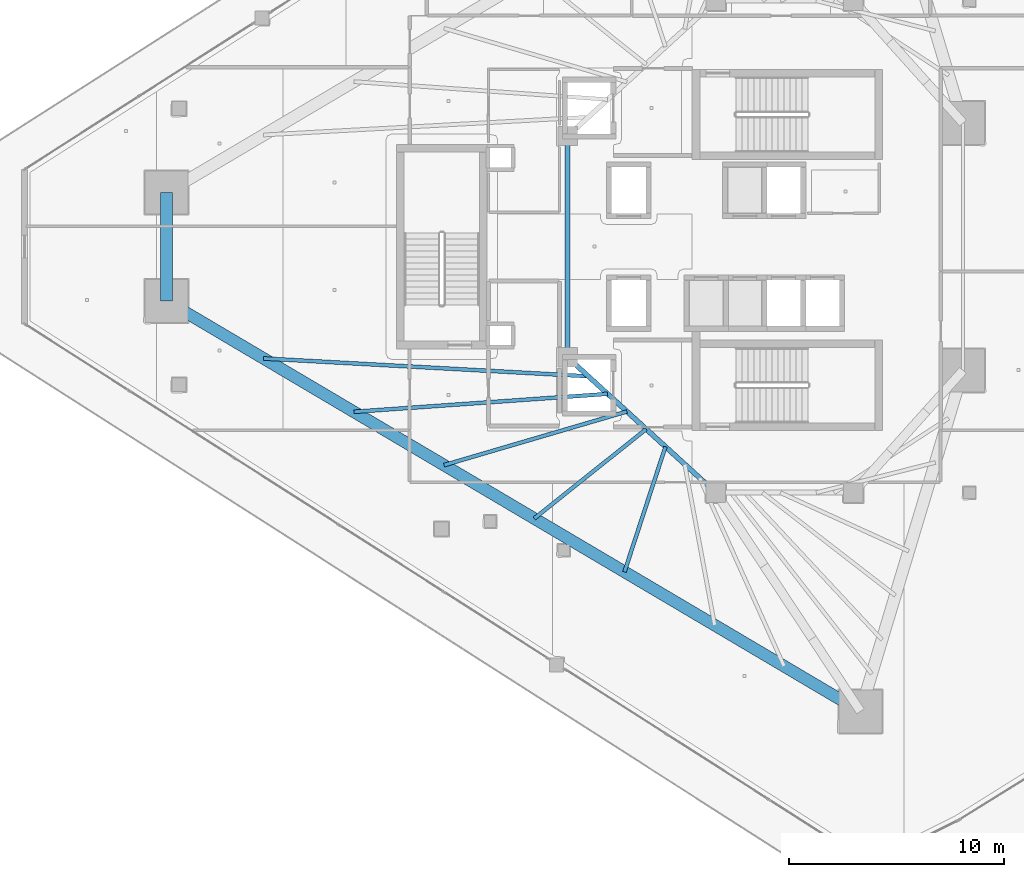
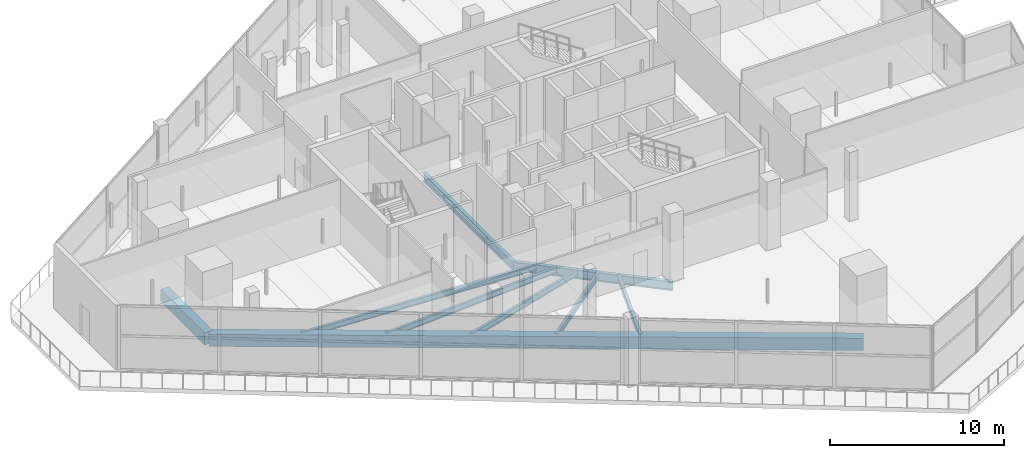
# One storey, part 7 of 36: 9 beams.
"""IFC4 building model written with IfcOpenShell, lengths in metres."""

from ifc_helpers import new_model, si_unit, direction, frame, origin, origin_2d, place, context, subcontext, project, spatial, rectangle, i_section, extrude, material, material_profile, profile_set, type_object, element, save


model = new_model("IFC4")

# Units and contexts
model_context = context("Model", 3, precision=1e-05, world=origin(), true_north=direction((0.0, 1.0)))
body_context = subcontext(model_context, "Body", "Model", "MODEL_VIEW")
ifc_project = project(units=[si_unit("LENGTHUNIT", "METRE"), si_unit("AREAUNIT", "SQUARE_METRE"), si_unit("VOLUMEUNIT", "CUBIC_METRE"), si_unit("PLANEANGLEUNIT", "RADIAN"), si_unit("MASSUNIT", "GRAM", prefix="KILO")], contexts=[model_context])

# Site, building, storey
site_placement = place(None, origin())
site = spatial("IfcSite", under=ifc_project, at=site_placement, CompositionType="ELEMENT")
building_placement = place(site_placement, origin())
building = spatial("IfcBuilding", under=site, at=building_placement, Name="Qorvath Tower", CompositionType="ELEMENT")
storey_placement = place(building_placement, frame((0.0, 0.0, 180.0)))
storey = spatial("IfcBuildingStorey", under=building, at=storey_placement, Name="L41", CompositionType="ELEMENT", Elevation=180.0)

# Beams
ifc_material_1 = material(Name="Steel ASTM A992 Grade 50", Category="steel")
ifc_material_profile_1 = material_profile(ifc_material_1, i_section(OverallWidth=0.22998046875, OverallDepth=0.616943359375, WebThickness=0.01318359375, FlangeThickness=0.022216796875, FilletRadius=0.014892578125, at=origin_2d()), Name="W24x94")
ifc_profile_set_1 = profile_set([ifc_material_profile_1], Name="Steel ASTM A992 Grade 50")
beam_type_1 = type_object("IfcBeamType", Name="BM-FG6", PredefinedType="BEAM", material=ifc_profile_set_1)
beam_1_placement = place(storey_placement, frame((-23.60009765625, -11.449951171875, -0.6083984375), z_axis=(-0.73847813985, 0.6742774184, 0.0), x_axis=(-0.6742774184, -0.73847813985, 0.0)))
element("IfcBeam", 1, at=beam_1_placement, inside=storey, type_object=beam_type_1, Name="Core Ring Girder CC4-CC6 L41", PredefinedType="BEAM", context=body_context, shape_type="SweptSolid", body=[
    extrude(i_section(OverallWidth=0.22998046875, OverallDepth=0.616943359375, WebThickness=0.01318359375, FlangeThickness=0.022216796875, FilletRadius=0.014892578125, at=origin_2d()), origin(), (0.0, 0.0, 1.0), 9.343505859375),
])
beam_2_placement = place(storey_placement, frame((-30.5, -5.14990234375, -0.6083984375), z_axis=(0.0, 1.0, 0.0), x_axis=(-1.0, 0.0, 0.0)))
element("IfcBeam", 2, at=beam_2_placement, inside=storey, type_object=beam_type_1, Name="Core Ring Girder CC6-CC5 L41", PredefinedType="BEAM", context=body_context, shape_type="SweptSolid", body=[
    extrude(i_section(OverallWidth=0.22998046875, OverallDepth=0.616943359375, WebThickness=0.01318359375, FlangeThickness=0.022216796875, FilletRadius=0.014892578125, at=origin_2d()), origin(), (0.0, 0.0, 1.0), 10.2998046875),
])
ifc_material_2 = material(Name="Steel ASTM A992 Grade 50", Category="steel")
ifc_material_profile_2 = material_profile(ifc_material_2, i_section(OverallWidth=0.177978515625, OverallDepth=0.406005859375, WebThickness=0.0078125, FlangeThickness=0.0126953125, FilletRadius=0.010986328125, at=origin_2d()), Name="W16x40")
ifc_profile_set_2 = profile_set([ifc_material_profile_2], Name="Steel ASTM A992 Grade 50")
beam_type_2 = type_object("IfcBeamType", Name="BM-FJ3", PredefinedType="JOIST", material=ifc_profile_set_2)
beam_3_placement = place(storey_placement, frame((-29.533935546875, -6.031982421875, -0.5029296875), z_axis=(-0.998494745044, 0.054847462293, 0.0), x_axis=(-0.054847462293, -0.998494745044, 0.0)))
element("IfcBeam", 3, at=beam_3_placement, inside=storey, type_object=beam_type_2, Name="Composite Floor Joist SW1 L41", PredefinedType="JOIST", context=body_context, shape_type="SweptSolid", body=[
    extrude(i_section(OverallWidth=0.177978515625, OverallDepth=0.406005859375, WebThickness=0.0078125, FlangeThickness=0.0126953125, FilletRadius=0.010986328125, at=origin_2d()), origin(), (0.0, 0.0, 1.0), 15.138671875),
])
beam_4_placement = place(storey_placement, frame((-28.636962890625, -6.85107421875, -0.5029296875), z_axis=(-0.997520476731, -0.070376832146, 0.0), x_axis=(0.070376832146, -0.997520476731, 0.0)))
element("IfcBeam", 4, at=beam_4_placement, inside=storey, type_object=beam_type_2, Name="Composite Floor Joist SW2 L41", PredefinedType="JOIST", context=body_context, shape_type="SweptSolid", body=[
    extrude(i_section(OverallWidth=0.177978515625, OverallDepth=0.406005859375, WebThickness=0.0078125, FlangeThickness=0.0126953125, FilletRadius=0.010986328125, at=origin_2d()), origin(), (0.0, 0.0, 1.0), 11.84326171875),
])
beam_5_placement = place(storey_placement, frame((-27.739990234375, -7.669921875, -0.5029296875), z_axis=(-0.959544992264, -0.281555337049, 0.0), x_axis=(0.281555337049, -0.959544992264, 0.0)))
element("IfcBeam", 5, at=beam_5_placement, inside=storey, type_object=beam_type_2, Name="Composite Floor Joist SW3 L41", PredefinedType="JOIST", context=body_context, shape_type="SweptSolid", body=[
    extrude(i_section(OverallWidth=0.177978515625, OverallDepth=0.406005859375, WebThickness=0.0078125, FlangeThickness=0.0126953125, FilletRadius=0.010986328125, at=origin_2d()), origin(), (0.0, 0.0, 1.0), 8.87060546875),
])
beam_6_placement = place(storey_placement, frame((-26.843017578125, -8.489013671875, -0.5029296875), z_axis=(-0.781336553339, -0.624109918537, 0.0), x_axis=(0.624109918537, -0.781336553339, 0.0)))
element("IfcBeam", 6, at=beam_6_placement, inside=storey, type_object=beam_type_2, Name="Composite Floor Joist SW4 L41", PredefinedType="JOIST", context=body_context, shape_type="SweptSolid", body=[
    extrude(i_section(OverallWidth=0.177978515625, OverallDepth=0.406005859375, WebThickness=0.0078125, FlangeThickness=0.0126953125, FilletRadius=0.010986328125, at=origin_2d()), origin(), (0.0, 0.0, 1.0), 6.667724609375),
])
beam_7_placement = place(storey_placement, frame((-25.946044921875, -9.30810546875, -0.5029296875), z_axis=(-0.311228747452, -0.950335028692, 0.0), x_axis=(0.950335028692, -0.311228747452, 0.0)))
element("IfcBeam", 7, at=beam_7_placement, inside=storey, type_object=beam_type_2, Name="Composite Floor Joist SW5 L41", PredefinedType="JOIST", context=body_context, shape_type="SweptSolid", body=[
    extrude(i_section(OverallWidth=0.177978515625, OverallDepth=0.406005859375, WebThickness=0.0078125, FlangeThickness=0.0126953125, FilletRadius=0.010986328125, at=origin_2d()), origin(), (0.0, 0.0, 1.0), 6.129638671875),
])
ifc_material_3 = material(Name="Concrete C50/60", Category="concrete")
ifc_material_profile_3 = material_profile(ifc_material_3, rectangle(XDim=0.550048828125, YDim=0.85009765625, at=origin_2d()), Name="RCB 850x550")
ifc_profile_set_3 = profile_set([ifc_material_profile_3], Name="Concrete C50/60")
beam_type_3 = type_object("IfcBeamType", Name="BM-RCB2", PredefinedType="SPANDREL", material=ifc_profile_set_3)
beam_8_placement = place(storey_placement, frame((-49.171875, 2.52783203125, -0.72509765625), z_axis=(0.0, -1.0, 0.0), x_axis=(1.0, 0.0, 0.0)))
element("IfcBeam", 8, at=beam_8_placement, inside=storey, type_object=beam_type_3, Name="Perimeter Loggia Frame Beam MC1-MC2 L41", PredefinedType="SPANDREL", context=body_context, shape_type="SweptSolid", body=[
    extrude(rectangle(XDim=0.550048828125, YDim=0.85009765625, at=origin_2d()), origin(), (0.0, 0.0, 1.0), 5.0556640625),
])
beam_9_placement = place(storey_placement, frame((-49.171875, -2.52783203125, -0.72509765625), z_axis=(0.860776759786, -0.50898268125, 0.0), x_axis=(0.50898268125, 0.860776759786, 0.0)))
element("IfcBeam", 9, at=beam_9_placement, inside=storey, type_object=beam_type_3, Name="Perimeter Loggia Frame Beam MC2-MC3 L41", PredefinedType="SPANDREL", context=body_context, shape_type="SweptSolid", body=[
    extrude(rectangle(XDim=0.550048828125, YDim=0.85009765625, at=origin_2d()), origin(), (0.0, 0.0, 1.0), 37.524658203125),
])

save(model, "model.ifc")
